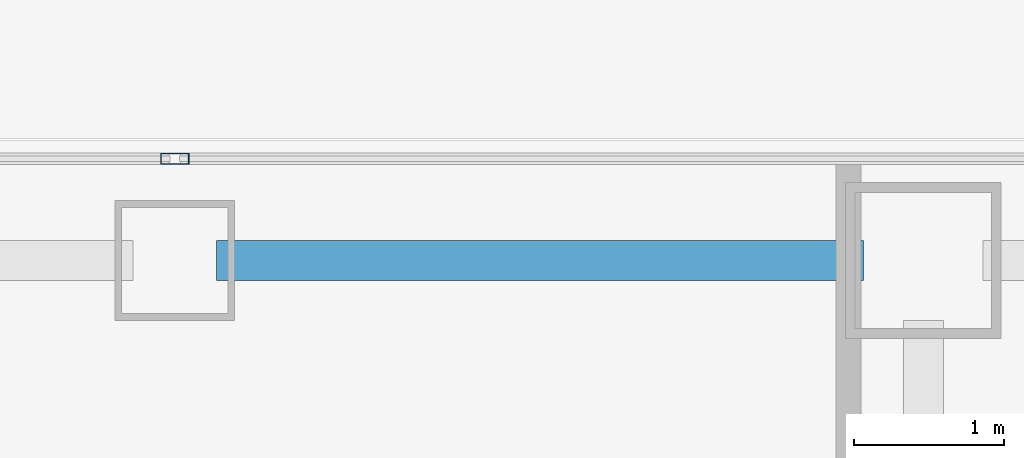
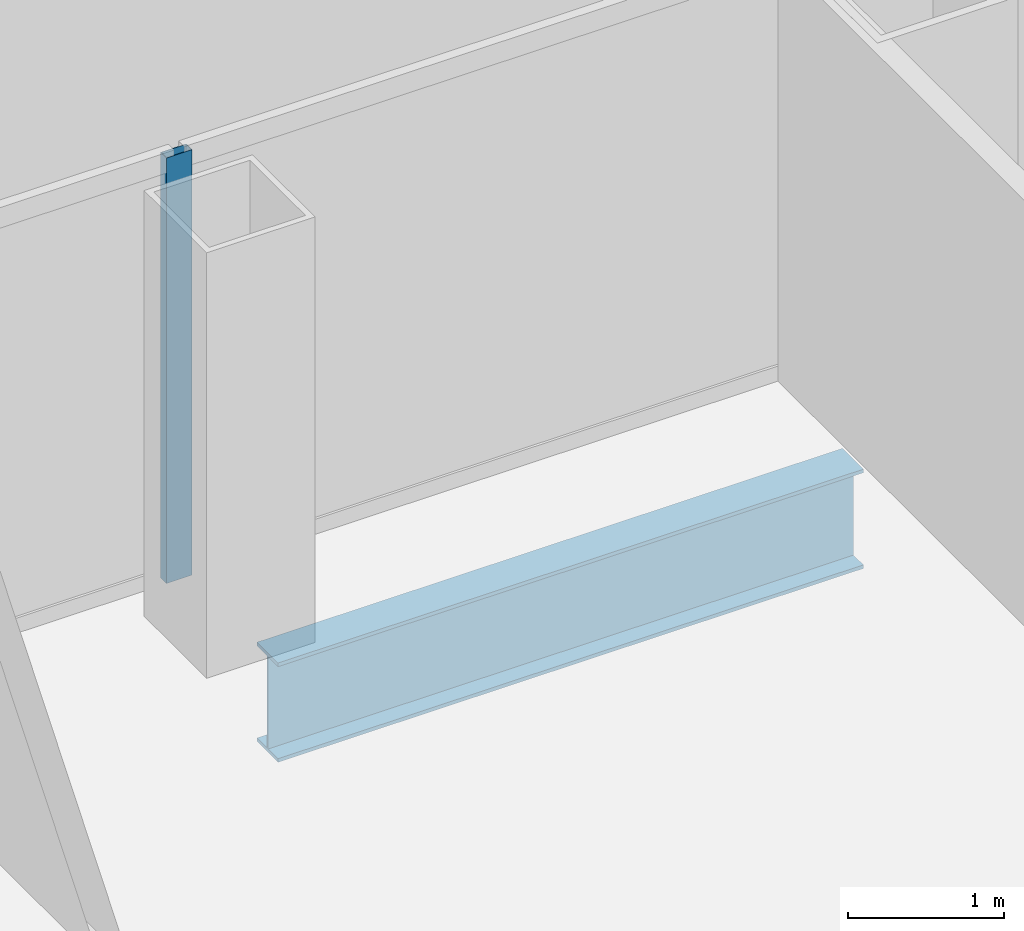
# One storey, part 13 of 22: 1 beam, 1 member, 1 element without a shape of its own.
"""IFC4 building model written with IfcOpenShell, lengths in metres."""

from ifc_helpers import new_model, si_unit, direction, frame, origin, origin_2d, place, context, subcontext, project, spatial, hollow_rectangle, i_section, extrude, source, transform, mapped, material, layer, layer_set, material_profile, profile_set, type_object, element, aggregate, save


model = new_model("IFC4")

# Units and contexts
model_context = context("Model", 3, precision=1e-05, world=origin(), true_north=direction((0.0, 1.0)))
body_context = subcontext(model_context, "Body", "Model", "MODEL_VIEW")
ifc_project = project(units=[si_unit("LENGTHUNIT", "METRE"), si_unit("AREAUNIT", "SQUARE_METRE"), si_unit("VOLUMEUNIT", "CUBIC_METRE"), si_unit("PLANEANGLEUNIT", "RADIAN"), si_unit("MASSUNIT", "GRAM", prefix="KILO")], contexts=[model_context])

# Site, building, storey
site_placement = place(None, origin())
site = spatial("IfcSite", under=ifc_project, at=site_placement, CompositionType="ELEMENT")
building_placement = place(site_placement, origin())
building = spatial("IfcBuilding", under=site, at=building_placement, Name="Kolveth Station Tower", CompositionType="ELEMENT")
storey_placement = place(building_placement, frame((0.0, 0.0, 54.89990234375)))
storey = spatial("IfcBuildingStorey", under=building, at=storey_placement, Name="L14", CompositionType="ELEMENT", Elevation=54.89990234375)

# Beam
ifc_material_1 = material(Name="Steel S355", Category="steel")
ifc_material_profile_1 = material_profile(ifc_material_1, i_section(OverallWidth=0.26904296875, OverallDepth=0.77490234375, WebThickness=0.01708984375, FlangeThickness=0.0283203125, at=origin_2d()), Name="W760x220")
ifc_profile_set_1 = profile_set([ifc_material_profile_1], Name="Steel S355")
beam_type = type_object("IfcBeamType", Name="Beam_SP1", PredefinedType="SPANDREL", material=ifc_profile_set_1)
shared_shape_1 = source(origin(), body_context, "Body", "SweptSolid", [
    extrude(i_section(OverallWidth=0.26904296875, OverallDepth=0.77490234375, WebThickness=0.01708984375, FlangeThickness=0.0283203125, at=origin_2d()), origin(), (0.0, 0.0, 1.0), 4.320068359375),
])
beam_placement = place(storey_placement, frame((23.780029296875, 39.699951171875, -0.66748046875), z_axis=(1.0, 0.0, 0.0), x_axis=(0.0, 1.0, 0.0)))
element("IfcBeam", 1, at=beam_placement, inside=storey, type_object=beam_type, Name="L14 Perimeter Spandrel BM-L14-PN-6", PredefinedType="SPANDREL", context=body_context, shape_type="MappedRepresentation", body=[
    mapped(shared_shape_1, transform((0.0, 0.0, 0.0), x_axis=(1.0, 0.0, 0.0), y_axis=(0.0, 1.0, 0.0), z_axis=(0.0, 0.0, 1.0), scale=1.0)),
])

# Curtain wall, member
ifc_material_2 = material(Name="Aluminium 6063-T6 and low-E dark glass", Category="aluminium")
ifc_layer = layer(ifc_material_2, 0.179931640625)
ifc_layer_set = layer_set([ifc_layer], Name="Aluminium 6063-T6 and low-E dark glass")
curtain_wall_type = type_object("IfcCurtainWallType", Name="CurtainWall_CW-Z1", PredefinedType="NOTDEFINED", material=ifc_layer_set)
curtain_wall_placement = place(storey_placement, origin())
curtain_wall = element("IfcCurtainWall", 2, at=curtain_wall_placement, inside=storey, type_object=curtain_wall_type, Name="L14 Inner Thermal Curtain Wall 6", PredefinedType="NOTDEFINED")
ifc_material_3 = material(Name="Black anodized aluminium 6063-T6", Category="aluminium")
ifc_material_profile_2 = material_profile(ifc_material_3, hollow_rectangle(XDim=0.074951171875, YDim=0.18994140625, WallThickness=0.0048828125, at=origin_2d()), Name="ALU-75x190x5")
ifc_profile_set_2 = profile_set([ifc_material_profile_2], Name="Black anodized aluminium 6063-T6")
member_type = type_object("IfcMemberType", Name="Mullion_ML1", PredefinedType="MULLION", material=ifc_profile_set_2)
shared_shape_2 = source(origin(), body_context, "Body", "SweptSolid", [
    extrude(hollow_rectangle(XDim=0.074951171875, YDim=0.18994140625, WallThickness=0.0048828125, at=origin_2d()), origin(), (0.0, 0.0, 1.0), 3.320068359375),
])
member_placement = place(storey_placement, frame((23.5, 40.3798828125, 0.0), z_axis=(0.0, 0.0, 1.0), x_axis=(0.0, -1.0, 0.0)))
member = element("IfcMember", 3, at=member_placement, type_object=member_type, Name="CW-Z1 mullion 2", PredefinedType="MULLION", context=body_context, shape_type="MappedRepresentation", body=[
    mapped(shared_shape_2, transform((0.0, 0.0, 0.0), x_axis=(1.0, 0.0, 0.0), y_axis=(0.0, 1.0, 0.0), z_axis=(0.0, 0.0, 1.0), scale=1.0)),
])
aggregate(curtain_wall, [member])

save(model, "model.ifc")
